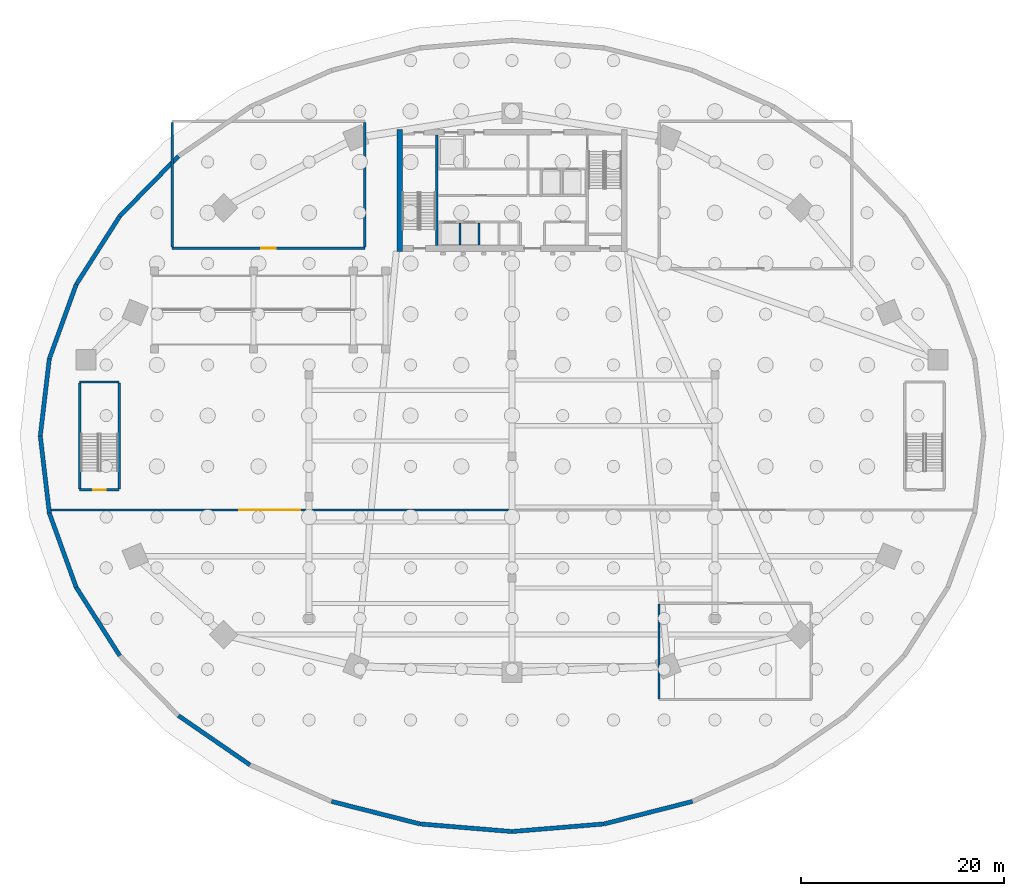
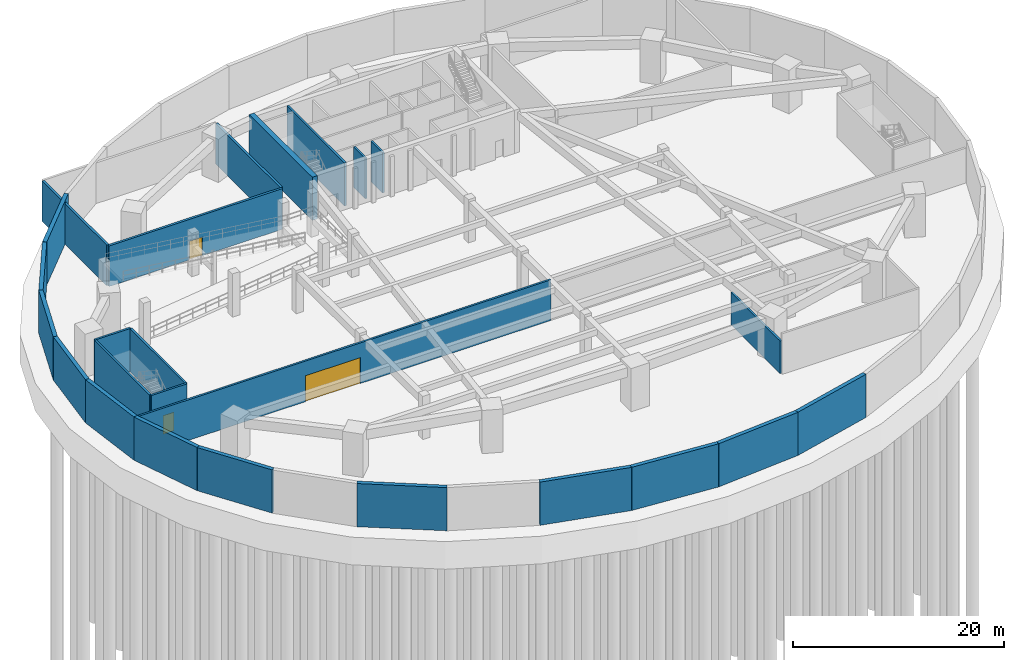
# One storey, part 4 of 11: 25 walls, 3 doors, 3 openings.
"""IFC4 building model written with IfcOpenShell, lengths in metres."""

from ifc_helpers import new_model, si_unit, direction, frame, frame_2d, origin, place, context, subcontext, project, spatial, rectangle, extrude, source, transform, mapped, material, layer, layer_set, type_object, type_shapes, element, fill, save


model = new_model("IFC4")

# Units and contexts
model_context = context("Model", 3, precision=1e-05, world=origin(), true_north=direction((0.0, 1.0)))
body_context = subcontext(model_context, "Body", "Model", "MODEL_VIEW")
ifc_project = project(units=[si_unit("LENGTHUNIT", "METRE"), si_unit("AREAUNIT", "SQUARE_METRE"), si_unit("VOLUMEUNIT", "CUBIC_METRE"), si_unit("PLANEANGLEUNIT", "RADIAN"), si_unit("MASSUNIT", "GRAM", prefix="KILO")], contexts=[model_context])

# Site, building, storey
site_placement = place(None, origin())
site = spatial("IfcSite", under=ifc_project, at=site_placement, CompositionType="ELEMENT")
building_placement = place(site_placement, origin())
building = spatial("IfcBuilding", under=site, at=building_placement, Name="Breltana Convention Tower", CompositionType="ELEMENT")
storey_placement = place(building_placement, frame((0.0, 0.0, -10.0)))
storey = spatial("IfcBuildingStorey", under=building, at=storey_placement, Name="B02", CompositionType="ELEMENT", Elevation=-10.0)

# Walls
ifc_material_1 = material(Name="Concrete C40/50", Category="concrete")
ifc_layer_1 = layer(ifc_material_1, 0.419921875, Name="Concrete C40/50")
ifc_layer_set_1 = layer_set([ifc_layer_1], Name="Concrete C40/50")
wall_type_1 = type_object("IfcWallType", Name="SW-BASE-420", PredefinedType="USERDEFINED", material=ifc_layer_set_1)
shared_shape_1 = source(origin(), body_context, "Body", "SweptSolid", [
    extrude(rectangle(XDim=7.66064453125, YDim=0.419921875, at=frame_2d((3.830322265625, 0.0))), origin(), (0.0, 0.0, 1.0), 5.0),
])
for number, where, z_axis, x_axis, name in (
    (1, (2.3935546875, 49.6083984375, 0.0), (0.0, 0.0, 1.0), (-0.116641545586, -0.993174078318, 0.0), "B02 Perimeter Retaining Wall 16"),
    (2, (1.5, 42.0, 0.0), (0.0, 0.0, 1.0), (0.116641545586, -0.993174078318, 0.0), "B02 Perimeter Retaining Wall 17"),
):
    element("IfcWall", number, at=place(storey_placement, frame(where, z_axis=z_axis, x_axis=x_axis)), inside=storey, type_object=wall_type_1, Name=name, ObjectType="RETAININGWALL", PredefinedType="USERDEFINED", context=body_context, shape_type="MappedRepresentation", body=[
        mapped(shared_shape_1, transform((0.0, 0.0, 0.0), scale=1.0)),
    ])
shared_shape_2 = source(origin(), body_context, "Body", "SweptSolid", [
    extrude(rectangle(XDim=7.7802734375, YDim=0.419921875, at=frame_2d((3.89013671875, 0.0))), origin(), (0.0, 0.0, 1.0), 5.0),
])
for number, where, z_axis, x_axis, name in (
    (3, (5.03955078125, 56.9248046875, 0.0), (0.0, 0.0, 1.0), (-0.340094752388, -0.940391173607, 0.0), "B02 Perimeter Retaining Wall 15"),
    (4, (2.3935546875, 34.3916015625, 0.0), (0.0, 0.0, 1.0), (0.340094752388, -0.940391173607, 0.0), "B02 Perimeter Retaining Wall 18"),
):
    element("IfcWall", number, at=place(storey_placement, frame(where, z_axis=z_axis, x_axis=x_axis)), inside=storey, type_object=wall_type_1, Name=name, ObjectType="RETAININGWALL", PredefinedType="USERDEFINED", context=body_context, shape_type="MappedRepresentation", body=[
        mapped(shared_shape_2, transform((0.0, 0.0, 0.0), scale=1.0)),
    ])
shared_shape_3 = source(origin(), body_context, "Body", "SweptSolid", [
    extrude(rectangle(XDim=7.995361328125, YDim=0.419921875, at=frame_2d((3.99755859375, 0.0))), origin(), (0.0, 0.0, 1.0), 5.0),
])
for number, where, z_axis, x_axis, name in (
    (5, (9.336669921875, 63.667236328125, 0.0), (0.0, 0.0, 1.0), (-0.537452304734, -0.84329414805, 0.0), "B02 Perimeter Retaining Wall 14"),
    (6, (5.03955078125, 27.0751953125, 0.0), (0.0, 0.0, 1.0), (0.537452304734, -0.84329414805, 0.0), "B02 Perimeter Retaining Wall 19"),
):
    element("IfcWall", number, at=place(storey_placement, frame(where, z_axis=z_axis, x_axis=x_axis)), inside=storey, type_object=wall_type_1, Name=name, ObjectType="RETAININGWALL", PredefinedType="USERDEFINED", context=body_context, shape_type="MappedRepresentation", body=[
        mapped(shared_shape_3, transform((0.0, 0.0, 0.0), scale=1.0)),
    ])
shared_shape_4 = source(origin(), body_context, "Body", "SweptSolid", [
    extrude(rectangle(XDim=8.268310546875, YDim=0.419921875, at=frame_2d((4.13427734375, 0.0))), origin(), (0.0, 0.0, 1.0), 5.0),
])
wall_1_placement = place(storey_placement, frame((15.119384765625, 69.5771484375, 0.0), z_axis=(0.0, 0.0, 1.0), x_axis=(-0.699373198463, -0.714756692358, 0.0)))
element("IfcWall", 7, at=wall_1_placement, inside=storey, type_object=wall_type_1, Name="B02 Perimeter Retaining Wall 13", ObjectType="RETAININGWALL", PredefinedType="USERDEFINED", context=body_context, shape_type="MappedRepresentation", body=[
    mapped(shared_shape_4, transform((0.0, 0.0, 0.0), scale=1.0)),
])
shared_shape_5 = source(origin(), body_context, "Body", "SweptSolid", [
    extrude(rectangle(XDim=8.554443359375, YDim=0.419921875, at=frame_2d((4.27734375, 0.0))), origin(), (0.0, 0.0, 1.0), 5.0),
])
wall_2_placement = place(storey_placement, frame((15.119384765625, 14.4228515625, 0.0), z_axis=(0.0, 0.0, 1.0), x_axis=(0.823739529001, -0.566968419192, 0.0)))
element("IfcWall", 8, at=wall_2_placement, inside=storey, type_object=wall_type_1, Name="B02 Perimeter Retaining Wall 21", ObjectType="RETAININGWALL", PredefinedType="USERDEFINED", context=body_context, shape_type="MappedRepresentation", body=[
    mapped(shared_shape_5, transform((0.0, 0.0, 0.0), scale=1.0)),
])
shared_shape_6 = source(origin(), body_context, "Body", "SweptSolid", [
    extrude(rectangle(XDim=9.0009765625, YDim=0.419921875, at=frame_2d((4.50048828125, 0.0))), origin(), (0.0, 0.0, 1.0), 5.0),
])
for number, where, z_axis, x_axis, name in (
    (9, (30.205078125, 5.96875, 0.0), (0.0, 0.0, 1.0), (0.969128996808, -0.246554228407, 0.0), "B02 Perimeter Retaining Wall 23"),
    (10, (57.07177734375, 3.74951171875, 0.0), (0.0, 0.0, 1.0), (0.969128996808, 0.246554228407, 0.0), "B02 Perimeter Retaining Wall 26"),
):
    element("IfcWall", number, at=place(storey_placement, frame(where, z_axis=z_axis, x_axis=x_axis)), inside=storey, type_object=wall_type_1, Name=name, ObjectType="RETAININGWALL", PredefinedType="USERDEFINED", context=body_context, shape_type="MappedRepresentation", body=[
        mapped(shared_shape_6, transform((0.0, 0.0, 0.0), scale=1.0)),
    ])
shared_shape_7 = source(origin(), body_context, "Body", "SweptSolid", [
    extrude(rectangle(XDim=9.102783203125, YDim=0.419921875, at=frame_2d((4.55126953125, 0.0))), origin(), (0.0, 0.0, 1.0), 5.0),
])
for number, where, z_axis, x_axis, name in (
    (11, (38.92822265625, 3.74951171875, 0.0), (0.0, 0.0, 1.0), (0.996604328886, -0.08233961165, 0.0), "B02 Perimeter Retaining Wall 24"),
    (12, (48.0, 3.0, 0.0), (0.0, 0.0, 1.0), (0.996604328886, 0.08233961165, 0.0), "B02 Perimeter Retaining Wall 25"),
):
    element("IfcWall", number, at=place(storey_placement, frame(where, z_axis=z_axis, x_axis=x_axis)), inside=storey, type_object=wall_type_1, Name=name, ObjectType="RETAININGWALL", PredefinedType="USERDEFINED", context=body_context, shape_type="MappedRepresentation", body=[
        mapped(shared_shape_7, transform((0.0, 0.0, 0.0), scale=1.0)),
    ])
ifc_material_2 = material(Name="Concrete C60/75", Category="concrete")
ifc_layer_2 = layer(ifc_material_2, 0.550048828125, Name="Concrete C60/75")
ifc_layer_set_2 = layer_set([ifc_layer_2], Name="Concrete C60/75")
wall_type_2 = type_object("IfcWallType", Name="SW-CORE-550", PredefinedType="SHEAR", material=ifc_layer_set_2)
shared_shape_8 = source(origin(), body_context, "Body", "SweptSolid", [
    extrude(rectangle(XDim=12.0, YDim=0.550048828125, at=frame_2d((6.0, 0.0))), origin(), (0.0, 0.0, 1.0), 5.0),
])
type_shapes(wall_type_2, [shared_shape_8])
wall_3_placement = place(storey_placement, frame((36.925048828125, 60.199951171875, 0.0), z_axis=(0.0, 0.0, 1.0), x_axis=(0.0, 1.0, 0.0)))
element("IfcWall", 13, at=wall_3_placement, inside=storey, type_object=wall_type_2, Name="B02 West Core Shear Wall", PredefinedType="SHEAR", context=body_context, shape_type="MappedRepresentation", body=[
    mapped(shared_shape_8, transform((0.0, 0.0, 0.0), scale=1.0)),
])
ifc_material_3 = material(Name="Concrete C50/60", Category="concrete")
ifc_layer_3 = layer(ifc_material_3, 0.39990234375, Name="Concrete C50/60")
ifc_layer_set_3 = layer_set([ifc_layer_3], Name="Concrete C50/60")
wall_type_3 = type_object("IfcWallType", Name="SW-CORE-400", PredefinedType="SHEAR", material=ifc_layer_set_3)
shared_shape_9 = source(origin(), body_context, "Body", "SweptSolid", [
    extrude(rectangle(XDim=10.89990234375, YDim=0.219970703125, at=frame_2d((5.449951171875, 0.0))), origin(), (0.0, 0.0, 1.0), 5.0),
])
wall_4_placement = place(storey_placement, frame((40.580078125, 60.75, 0.0), z_axis=(0.0, 0.0, 1.0), x_axis=(0.0, 1.0, 0.0)))
element("IfcWall", 14, at=wall_4_placement, inside=storey, type_object=wall_type_3, Name="B02 Core West Stair Spine Wall", PredefinedType="SHEAR", context=body_context, shape_type="MappedRepresentation", body=[
    mapped(shared_shape_9, transform((0.0, 0.0, 0.0), scale=1.0)),
])
ifc_material_4 = material(Name="Autoclaved Aerated Concrete Block", Category="concrete")
ifc_layer_4 = layer(ifc_material_4, 0.199951171875, Name="Autoclaved Aerated Concrete Block")
ifc_layer_set_4 = layer_set([ifc_layer_4], Name="Autoclaved Aerated Concrete Block")
wall_type_4 = type_object("IfcWallType", Name="WL-SHAFT-200", PredefinedType="SOLIDWALL", material=ifc_layer_set_4)
shared_shape_10 = source(origin(), body_context, "Body", "SweptSolid", [
    extrude(rectangle(XDim=2.199951171875, YDim=0.199951171875, at=frame_2d((1.10009765625, 0.0))), origin(), (0.0, 0.0, 1.0), 4.699951171875),
])
for number, where, z_axis, x_axis, name in (
    (15, (42.8701171875, 60.800048828125, 0.0), (0.0, 0.0, 1.0), (0.0, 1.0, 0.0), "B02 interior partition W-B02-SH-S-DIV1"),
    (16, (44.77001953125, 60.800048828125, 0.0), (0.0, 0.0, 1.0), (0.0, 1.0, 0.0), "B02 interior partition W-B02-SH-S-DIV2"),
):
    element("IfcWall", number, at=place(storey_placement, frame(where, z_axis=z_axis, x_axis=x_axis)), inside=storey, type_object=wall_type_4, Name=name, PredefinedType="SOLIDWALL", context=body_context, shape_type="MappedRepresentation", body=[
        mapped(shared_shape_10, transform((0.0, 0.0, 0.0), scale=1.0)),
    ])

# Wall, opening, door
ifc_layer_5 = layer(ifc_material_1, 0.219970703125, Name="Concrete C40/50")
ifc_layer_set_5 = layer_set([ifc_layer_5], Name="Concrete C40/50")
wall_type_5 = type_object("IfcWallType", Name="WL-SHAFT-220", PredefinedType="SOLIDWALL", material=ifc_layer_set_5)
shared_shape_11 = source(origin(), body_context, "Body", "SweptSolid", [
    extrude(rectangle(XDim=3.89013671875, YDim=0.219970703125, at=frame_2d((1.945068359375, 0.0))), origin(), (0.0, 0.0, 1.0), 5.0),
])
type_shapes(wall_type_5, [shared_shape_11])
wall_5_placement = place(storey_placement, frame((5.389892578125, 36.68994140625, 0.0), z_axis=(0.0, 0.0, 1.0), x_axis=(1.0, 0.0, 0.0)))
wall_5 = element("IfcWall", 17, at=wall_5_placement, inside=storey, type_object=wall_type_5, Name="B02 interior partition W-B02-ST3-S", PredefinedType="SOLIDWALL", context=body_context, shape_type="MappedRepresentation", body=[
    mapped(shared_shape_11, transform((0.0, 0.0, 0.0), scale=1.0)),
])
opening_1_placement = place(wall_5_placement, frame((1.344970703125, 0.0, 0.0)))
opening_1 = element("IfcOpeningElement", 18, at=opening_1_placement, cuts=wall_5, Name="Opening D-09", PredefinedType="OPENING", context=body_context, shape_type="SweptSolid", body=[
    extrude(rectangle(XDim=1.199951171875, YDim=2.14990234375, at=frame_2d((0.60009765625, 1.074951171875))), frame((0.0, 0.1201171875, 0.0), z_axis=(0.0, -1.0, 0.0), x_axis=(1.0, 0.0, 0.0)), (0.0, 0.0, 1.0), 0.239990234375),
])
ifc_material_5 = material(Name="Steel Fire Lobby Door", Category="steel")
door_type_1 = type_object("IfcDoorType", Name="DR-FD120-1200", OperationType="NOTDEFINED", PredefinedType="DOOR", material=ifc_material_5)
shared_shape_12 = source(origin(), body_context, "Body", "SweptSolid", [
    extrude(rectangle(XDim=1.199951171875, YDim=2.14990234375, at=frame_2d((0.60009765625, 1.074951171875))), frame((0.0, 0.02490234375, 0.0), z_axis=(0.0, -1.0, 0.0), x_axis=(1.0, 0.0, 0.0)), (0.0, 0.0, 1.0), 0.050048828125),
])
type_shapes(door_type_1, [shared_shape_12])
door_1_placement = place(opening_1_placement, origin())
door_1 = element("IfcDoor", 19, at=door_1_placement, inside=storey, type_object=door_type_1, Name="B02 interior door D-B02-ST3", OperationType="SINGLE_SWING_LEFT", OverallHeight=2.14990234375, OverallWidth=1.199951171875, PredefinedType="DOOR", context=body_context, shape_type="MappedRepresentation", body=[
    mapped(shared_shape_12, transform((0.0, 0.0, 0.0), scale=1.0)),
])
fill(opening_1, door_1)

# Walls
wall_6_placement = place(storey_placement, frame((5.389892578125, 47.31005859375, 0.0), z_axis=(0.0, 0.0, 1.0), x_axis=(1.0, 0.0, 0.0)))
element("IfcWall", 20, at=wall_6_placement, inside=storey, type_object=wall_type_5, Name="B02 interior partition W-B02-ST3-N", PredefinedType="SOLIDWALL", context=body_context, shape_type="MappedRepresentation", body=[
    mapped(shared_shape_11, transform((0.0, 0.0, 0.0), scale=1.0)),
])
shared_shape_13 = source(origin(), body_context, "Body", "SweptSolid", [
    extrude(rectangle(XDim=10.421875, YDim=0.219970703125, at=frame_2d((5.2109375, 0.0))), origin(), (0.0, 0.0, 1.0), 5.0),
])
for number, where, z_axis, x_axis, name in (
    (21, (5.389892578125, 36.7890625, 0.0), (0.0, 0.0, 1.0), (0.0, 1.0, 0.0), "B02 interior partition W-B02-ST3-W"),
    (22, (9.280029296875, 36.7890625, 0.0), (0.0, 0.0, 1.0), (0.0, 1.0, 0.0), "B02 interior partition W-B02-ST3-E"),
):
    element("IfcWall", number, at=place(storey_placement, frame(where, z_axis=z_axis, x_axis=x_axis)), inside=storey, type_object=wall_type_5, Name=name, PredefinedType="SOLIDWALL", context=body_context, shape_type="MappedRepresentation", body=[
        mapped(shared_shape_13, transform((0.0, 0.0, 0.0), scale=1.0)),
    ])

# Wall, opening, door
ifc_material_6 = material(Name="Gypsum Acoustic Double Stud Wall")
ifc_layer_6 = layer(ifc_material_6, 0.25, Name="Gypsum Acoustic Double Stud Wall")
ifc_layer_set_6 = layer_set([ifc_layer_6], Name="Gypsum Acoustic Double Stud Wall")
wall_type_6 = type_object("IfcWallType", Name="WL-ACOUSTIC-250", PredefinedType="PARTITIONING", material=ifc_layer_set_6)
shared_shape_14 = source(origin(), body_context, "Body", "SweptSolid", [
    extrude(rectangle(XDim=19.0, YDim=0.25, at=frame_2d((9.5, 0.0))), origin(), (0.0, 0.0, 1.0), 4.699951171875),
])
wall_7_placement = place(storey_placement, frame((14.5, 60.5, 0.0), z_axis=(0.0, 0.0, 1.0), x_axis=(1.0, 0.0, 0.0)))
wall_7 = element("IfcWall", 23, at=wall_7_placement, inside=storey, type_object=wall_type_6, Name="B02 interior partition W-B02-PLT2-S", PredefinedType="PARTITIONING", context=body_context, shape_type="MappedRepresentation", body=[
    mapped(shared_shape_14, transform((0.0, 0.0, 0.0), scale=1.0)),
])
opening_2_placement = place(wall_7_placement, frame((8.800048828125, 0.0, 0.0)))
opening_2 = element("IfcOpeningElement", 24, at=opening_2_placement, cuts=wall_7, Name="Opening D-06", PredefinedType="OPENING", context=body_context, shape_type="SweptSolid", body=[
    extrude(rectangle(XDim=1.39990234375, YDim=2.14990234375, at=frame_2d((0.699951171875, 1.074951171875))), frame((0.0, 0.135009765625, 0.0), z_axis=(0.0, -1.0, 0.0), x_axis=(1.0, 0.0, 0.0)), (0.0, 0.0, 1.0), 0.27001953125),
])
ifc_material_7 = material(Name="Steel Louvred Fire Plant Door", Category="steel")
door_type_2 = type_object("IfcDoorType", Name="DR-PLT-1400", OperationType="DOUBLE_DOOR_SINGLE_SWING", PredefinedType="DOOR", material=ifc_material_7)
shared_shape_15 = source(origin(), body_context, "Body", "SweptSolid", [
    extrude(rectangle(XDim=1.39990234375, YDim=2.14990234375, at=frame_2d((0.699951171875, 1.074951171875))), frame((0.0, 0.02490234375, 0.0), z_axis=(0.0, -1.0, 0.0), x_axis=(1.0, 0.0, 0.0)), (0.0, 0.0, 1.0), 0.050048828125),
])
type_shapes(door_type_2, [shared_shape_15])
door_2_placement = place(opening_2_placement, origin())
door_2 = element("IfcDoor", 25, at=door_2_placement, inside=storey, type_object=door_type_2, Name="B02 interior door D-B02-PLT2", OperationType="SINGLE_SWING_RIGHT", OverallHeight=2.14990234375, OverallWidth=1.39990234375, PredefinedType="DOOR", context=body_context, shape_type="MappedRepresentation", body=[
    mapped(shared_shape_15, transform((0.0, 0.0, 0.0), scale=1.0)),
])
fill(opening_2, door_2)

# Walls
shared_shape_16 = source(origin(), body_context, "Body", "SweptSolid", [
    extrude(rectangle(XDim=12.27490234375, YDim=0.25, at=frame_2d((6.137451171875, 0.0))), origin(), (0.0, 0.0, 1.0), 4.699951171875),
])
for number, where, z_axis, x_axis, name in (
    (26, (14.5, 60.612548828125, 0.0), (0.0, 0.0, 1.0), (0.0, 1.0, 0.0), "B02 interior partition W-B02-PLT2-W"),
    (27, (33.5, 60.612548828125, 0.0), (0.0, 0.0, 1.0), (0.0, 1.0, 0.0), "B02 interior partition W-B02-PLT2-E"),
):
    element("IfcWall", number, at=place(storey_placement, frame(where, z_axis=z_axis, x_axis=x_axis)), inside=storey, type_object=wall_type_6, Name=name, PredefinedType="PARTITIONING", context=body_context, shape_type="MappedRepresentation", body=[
        mapped(shared_shape_16, transform((0.0, 0.0, 0.0), scale=1.0)),
    ])
ifc_material_8 = material(Name="Autoclaved Aerated Masonry Blockwork", Category="masonry")
ifc_layer_7 = layer(ifc_material_8, 0.2099609375, Name="Autoclaved Aerated Masonry Blockwork")
ifc_layer_set_7 = layer_set([ifc_layer_7], Name="Autoclaved Aerated Masonry Blockwork")
wall_type_7 = type_object("IfcWallType", Name="WL-PART-200", PredefinedType="PARTITIONING", material=ifc_layer_set_7)
shared_shape_17 = source(origin(), body_context, "Body", "SweptSolid", [
    extrude(rectangle(XDim=9.31982421875, YDim=0.2099609375, at=frame_2d((4.659912109375, 0.0))), origin(), (0.0, 0.0, 1.0), 3.780029296875),
])
wall_8_placement = place(storey_placement, frame((62.5, 16.090087890625, 0.0), z_axis=(0.0, 0.0, 1.0), x_axis=(0.0, 1.0, 0.0)))
element("IfcWall", 28, at=wall_8_placement, inside=storey, type_object=wall_type_7, Name="B02 interior partition W-B02-PLT3-W", PredefinedType="PARTITIONING", context=body_context, shape_type="MappedRepresentation", body=[
    mapped(shared_shape_17, transform((0.0, 0.0, 0.0), scale=1.0)),
])

# Wall, opening, door
shared_shape_18 = source(origin(), body_context, "Body", "SweptSolid", [
    extrude(rectangle(XDim=45.451416015625, YDim=0.219970703125, at=frame_2d((22.7255859375, 0.0))), origin(), (0.0, 0.0, 1.0), 4.699951171875),
])
wall_9_placement = place(storey_placement, frame((2.548583984375, 34.699951171875, 0.0), z_axis=(0.0, 0.0, 1.0), x_axis=(1.0, 0.0, 0.0)))
wall_9 = element("IfcWall", 29, at=wall_9_placement, inside=storey, type_object=wall_type_5, Name="B02 interior partition W-B02-FSH-W", PredefinedType="SOLIDWALL", context=body_context, shape_type="MappedRepresentation", body=[
    mapped(shared_shape_18, transform((0.0, 0.0, 0.0), scale=1.0)),
])
opening_3_placement = place(wall_9_placement, frame((18.57568359375, 0.0, 0.0)))
opening_3 = element("IfcOpeningElement", 30, at=opening_3_placement, cuts=wall_9, Name="Opening VG-03", PredefinedType="OPENING", context=body_context, shape_type="SweptSolid", body=[
    extrude(rectangle(XDim=6.0, YDim=3.0, at=frame_2d((3.0, 1.5))), frame((0.0, 0.1201171875, 0.0), z_axis=(0.0, -1.0, 0.0), x_axis=(1.0, 0.0, 0.0)), (0.0, 0.0, 1.0), 0.239990234375),
])
ifc_material_9 = material(Name="Steel Fire-Rated Roller Shutter", Category="steel")
door_type_3 = type_object("IfcDoorType", Name="DR-GATE-FIRE-6000", OperationType="ROLLINGUP", PredefinedType="GATE", material=ifc_material_9)
shared_shape_19 = source(origin(), body_context, "Body", "SweptSolid", [
    extrude(rectangle(XDim=6.0, YDim=3.0, at=frame_2d((3.0, 1.5))), frame((0.0, 0.02490234375, 0.0), z_axis=(0.0, -1.0, 0.0), x_axis=(1.0, 0.0, 0.0)), (0.0, 0.0, 1.0), 0.050048828125),
])
type_shapes(door_type_3, [shared_shape_19])
door_3_placement = place(opening_3_placement, origin())
door_3 = element("IfcDoor", 31, at=door_3_placement, inside=storey, type_object=door_type_3, Name="B02 interior door VG-B02-FIRE-W", OperationType="ROLLINGUP", OverallHeight=3.0, OverallWidth=6.0, PredefinedType="GATE", context=body_context, shape_type="MappedRepresentation", body=[
    mapped(shared_shape_19, transform((0.0, 0.0, 0.0), scale=1.0)),
])
fill(opening_3, door_3)

save(model, "model.ifc")
